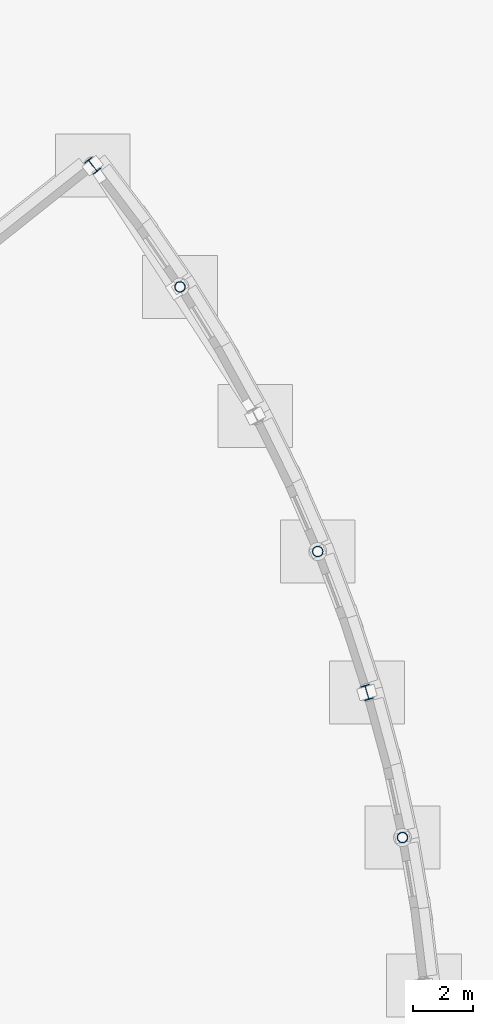
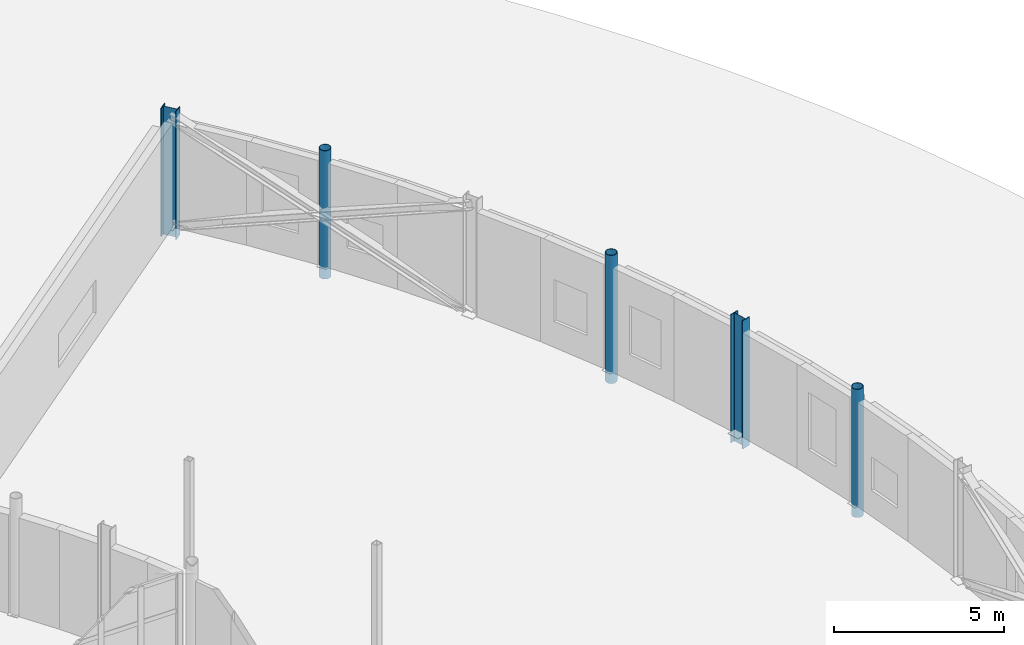
# One storey, part 15 of 88: 5 columns.
"""IFC4 building model written with IfcOpenShell, lengths in metres."""

from ifc_helpers import new_model, si_unit, direction, frame, origin, origin_2d, place, context, subcontext, project, spatial, hollow_circle, i_section, extrude, material, material_profile, profile_set, type_object, element, save


model = new_model("IFC4")

# Units and contexts
model_context = context("Model", 3, precision=1e-05, world=origin(), true_north=direction((0.0, 1.0)))
body_context = subcontext(model_context, "Body", "Model", "MODEL_VIEW")
ifc_project = project(units=[si_unit("LENGTHUNIT", "METRE"), si_unit("AREAUNIT", "SQUARE_METRE"), si_unit("VOLUMEUNIT", "CUBIC_METRE"), si_unit("PLANEANGLEUNIT", "RADIAN"), si_unit("MASSUNIT", "GRAM", prefix="KILO")], contexts=[model_context])

# Site, building, storey
site_placement = place(None, origin())
site = spatial("IfcSite", under=ifc_project, at=site_placement, CompositionType="ELEMENT")
building_placement = place(site_placement, origin())
building = spatial("IfcBuilding", under=site, at=building_placement, Name="Vanh Quang Courtyard School", CompositionType="ELEMENT")
storey_placement = place(building_placement, origin())
storey = spatial("IfcBuildingStorey", under=building, at=storey_placement, Name="L00", CompositionType="ELEMENT", Elevation=0.0)

# Columns
ifc_material = material(Name="Structural steel EN 10025-2 S355J2", Category="steel")
ifc_material_profile_1 = material_profile(ifc_material, hollow_circle(Radius=0.177734375, WallThickness=0.01611328125, at=origin_2d()), Name="CHS 355.6x16")
ifc_profile_set_1 = profile_set([ifc_material_profile_1], Name="Structural steel EN 10025-2 S355J2")
column_type_1 = type_object("IfcColumnType", Name="COL-STL-CHS355", PredefinedType="COLUMN", material=ifc_profile_set_1)
for number, where, z_axis, x_axis, name in (
    (1, (163.044677734375, 65.922119140625, -0.39990234375), (0.0, 0.0, 1.0), (1.0, 0.0, 0.0), "Column CS-05 (L00)"),
    (2, (160.213623046875, 75.4794921875, -0.39990234375), (0.0, 0.0, 1.0), (1.0, 0.0, 0.0), "Column CS-05 (L00)"),
    (3, (155.61083984375, 84.3212890625, -0.39990234375), (0.0, 0.0, 1.0), (1.0, 0.0, 0.0), "Column CS-05 (L00)"),
):
    element("IfcColumn", number, at=place(storey_placement, frame(where, z_axis=z_axis, x_axis=x_axis)), inside=storey, type_object=column_type_1, Name=name, PredefinedType="COLUMN", context=body_context, shape_type="SweptSolid", body=[
        extrude(hollow_circle(Radius=0.177734375, WallThickness=0.01611328125, at=origin_2d()), origin(), (0.0, 0.0, 1.0), 4.599853515625),
    ])
ifc_material_profile_2 = material_profile(ifc_material, i_section(OverallWidth=0.300048828125, OverallDepth=0.489990234375, WebThickness=0.011962890625, FlangeThickness=0.02294921875, FilletRadius=0.027099609375, at=origin_2d()), Name="HEA 500")
ifc_profile_set_2 = profile_set([ifc_material_profile_2], Name="Structural steel EN 10025-2 S355J2")
column_type_2 = type_object("IfcColumnType", Name="COL-STL-HEA500", PredefinedType="COLUMN", material=ifc_profile_set_2)
for number, where, z_axis, x_axis, name in (
    (4, (161.858642578125, 70.768798828125, -0.39990234375), (0.0, 0.0, 1.0), (0.958819734868, 0.284015344704, 0.0), "Column CS-01 (L00)"),
    (5, (152.695556640625, 88.370849609375, -0.39990234375), (0.0, 0.0, 1.0), (0.782608156852, 0.622514636638, 0.0), "Column CS-01 (L00)"),
):
    element("IfcColumn", number, at=place(storey_placement, frame(where, z_axis=z_axis, x_axis=x_axis)), inside=storey, type_object=column_type_2, Name=name, PredefinedType="COLUMN", context=body_context, shape_type="SweptSolid", body=[
        extrude(i_section(OverallWidth=0.300048828125, OverallDepth=0.489990234375, WebThickness=0.011962890625, FlangeThickness=0.02294921875, FilletRadius=0.027099609375, at=origin_2d()), origin(), (0.0, 0.0, 1.0), 4.599853515625),
    ])

save(model, "model.ifc")
